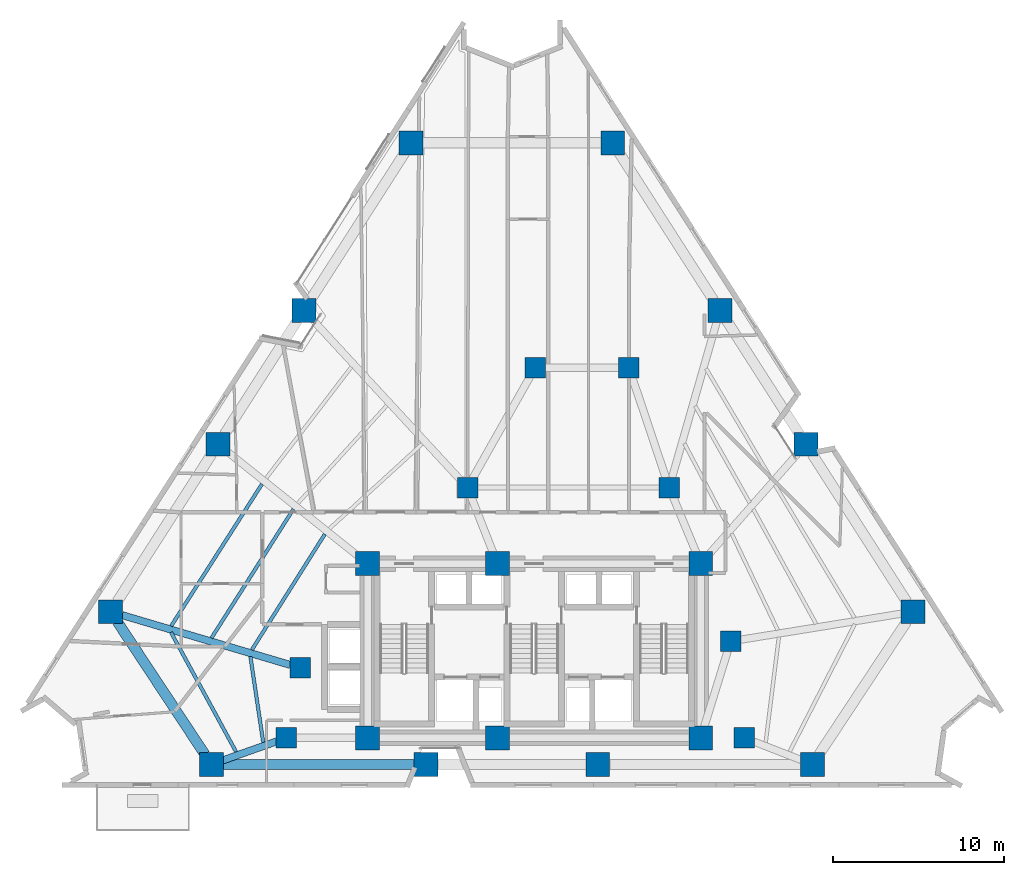
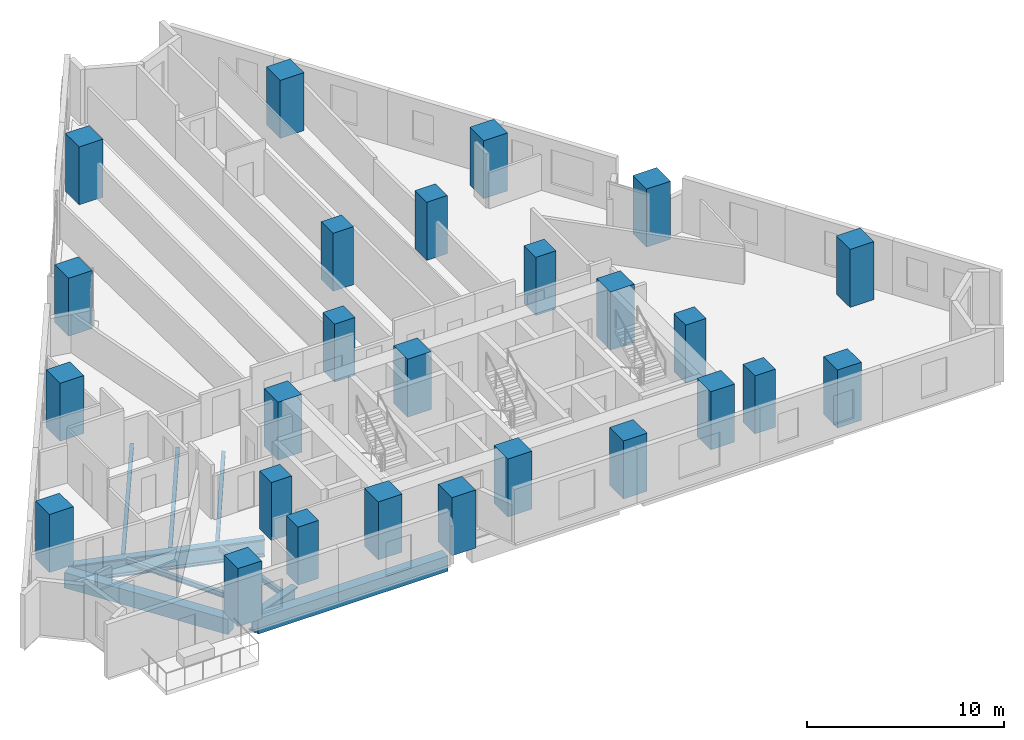
# One storey, part 1 of 15: 26 columns, 9 beams.
"""IFC4 building model written with IfcOpenShell, lengths in metres."""

from ifc_helpers import new_model, si_unit, direction, frame, origin, origin_2d, place, context, subcontext, project, spatial, rectangle, i_section, extrude, material, material_profile, profile_set, type_object, element, save


model = new_model("IFC4")

# Units and contexts
model_context = context("Model", 3, precision=1e-05, world=origin(), true_north=direction((0.0, 1.0)))
body_context = subcontext(model_context, "Body", "Model", "MODEL_VIEW")
ifc_project = project(units=[si_unit("LENGTHUNIT", "METRE"), si_unit("AREAUNIT", "SQUARE_METRE"), si_unit("VOLUMEUNIT", "CUBIC_METRE"), si_unit("PLANEANGLEUNIT", "RADIAN"), si_unit("MASSUNIT", "GRAM", prefix="KILO")], contexts=[model_context])

# Site, building, storey
site_placement = place(None, origin())
site = spatial("IfcSite", under=ifc_project, at=site_placement, CompositionType="ELEMENT")
building_placement = place(site_placement, origin())
building = spatial("IfcBuilding", under=site, at=building_placement, Name="Almagre Mirador Tower", CompositionType="ELEMENT")
storey_placement = place(building_placement, frame((0.0, 0.0, 31.800048828125)))
storey = spatial("IfcBuildingStorey", under=building, at=storey_placement, Name="L06", CompositionType="ELEMENT", Elevation=31.800048828125)

# Columns
ifc_material_1 = material(Name="Concrete C60/75", Category="concrete")
ifc_material_profile_1 = material_profile(ifc_material_1, rectangle(XDim=1.199951171875, YDim=1.199951171875, at=origin_2d()), Name="RC1200X1200")
ifc_profile_set_1 = profile_set([ifc_material_profile_1], Name="Concrete C60/75")
column_type_1 = type_object("IfcColumnType", Name="COL-RC1200", PredefinedType="COLUMN", material=ifc_profile_set_1)
for number, where, z_axis, x_axis, name in (
    (1, (22.800048828125, 4.550048828125, 0.0), (0.0, 0.0, 1.0), (1.0, 0.0, 0.0), "L06 interior transfer column MC1"),
    (2, (49.60009765625, 4.550048828125, 0.0), (0.0, 0.0, 1.0), (1.0, 0.0, 0.0), "L06 interior transfer column MC2"),
    (3, (48.800048828125, 10.199951171875, 0.0), (0.0, 0.0, 1.0), (1.0, 0.0, 0.0), "L06 interior transfer column MC3"),
    (4, (45.199951171875, 19.199951171875, 0.0), (0.0, 0.0, 1.0), (1.0, 0.0, 0.0), "L06 interior transfer column MC5"),
    (5, (42.85009765625, 26.199951171875, 0.0), (0.0, 0.0, 1.0), (1.0, 0.0, 0.0), "L06 interior transfer column MC6"),
    (6, (37.35009765625, 26.199951171875, 0.0), (0.0, 0.0, 1.0), (1.0, 0.0, 0.0), "L06 interior transfer column MC7"),
    (7, (33.39990234375, 19.199951171875, 0.0), (0.0, 0.0, 1.0), (1.0, 0.0, 0.0), "L06 interior transfer column MC8"),
    (8, (23.60009765625, 8.64990234375, 0.0), (0.0, 0.0, 1.0), (1.0, 0.0, 0.0), "L06 interior transfer column MC10"),
):
    element("IfcColumn", number, at=place(storey_placement, frame(where, z_axis=z_axis, x_axis=x_axis)), inside=storey, type_object=column_type_1, Name=name, PredefinedType="COLUMN", context=body_context, shape_type="SweptSolid", body=[
        extrude(rectangle(XDim=1.199951171875, YDim=1.199951171875, at=origin_2d()), origin(), (0.0, 0.0, 1.0), 3.599853515625),
    ])
ifc_material_2 = material(Name="Concrete C60/75", Category="concrete")
ifc_material_profile_2 = material_profile(ifc_material_2, rectangle(XDim=1.39990234375, YDim=1.39990234375, at=origin_2d()), Name="RC1400X1400")
ifc_profile_set_2 = profile_set([ifc_material_profile_2], Name="Concrete C60/75")
column_type_2 = type_object("IfcColumnType", Name="COL-RC1400", PredefinedType="COLUMN", material=ifc_profile_set_2)
for number, where, z_axis, x_axis, name in (
    (9, (27.550048828125, 4.550048828125, 0.0), (0.0, 0.0, 1.0), (1.0, 0.0, 0.0), "L06 core spine column CC1"),
    (10, (35.14990234375, 4.550048828125, 0.0), (0.0, 0.0, 1.0), (1.0, 0.0, 0.0), "L06 core spine column CC2"),
    (11, (47.050048828125, 4.550048828125, 0.0), (0.0, 0.0, 1.0), (1.0, 0.0, 0.0), "L06 core spine column CC3"),
    (12, (27.550048828125, 14.75, 0.0), (0.0, 0.0, 1.0), (1.0, 0.0, 0.0), "L06 core spine column CC4"),
    (13, (35.14990234375, 14.75, 0.0), (0.0, 0.0, 1.0), (1.0, 0.0, 0.0), "L06 core spine column CC5"),
    (14, (47.050048828125, 14.75, 0.0), (0.0, 0.0, 1.0), (1.0, 0.0, 0.0), "L06 core spine column CC6"),
    (15, (18.416015625, 3.0, 0.0), (0.0, 0.0, 1.0), (1.0, 0.0, 0.0), "L06 perimeter column PC01"),
    (16, (30.97607421875, 3.0, 0.0), (0.0, 0.0, 1.0), (1.0, 0.0, 0.0), "L06 perimeter column PC02"),
    (17, (41.02392578125, 3.0, 0.0), (0.0, 0.0, 1.0), (1.0, 0.0, 0.0), "L06 perimeter column PC03"),
    (18, (53.583984375, 3.0, 0.0), (0.0, 0.0, 1.0), (1.0, 0.0, 0.0), "L06 perimeter column PC04"),
    (19, (59.48193359375, 11.93310546875, 0.0), (0.0, 0.0, 1.0), (1.0, 0.0, 0.0), "L06 perimeter column PC05"),
    (20, (53.201904296875, 21.73291015625, 0.0), (0.0, 0.0, 1.0), (1.0, 0.0, 0.0), "L06 perimeter column PC06"),
    (21, (48.177978515625, 29.572998046875, 0.0), (0.0, 0.0, 1.0), (1.0, 0.0, 0.0), "L06 perimeter column PC07"),
    (22, (41.89794921875, 39.373046875, 0.0), (0.0, 0.0, 1.0), (1.0, 0.0, 0.0), "L06 perimeter column PC08"),
    (23, (30.10205078125, 39.373046875, 0.0), (0.0, 0.0, 1.0), (1.0, 0.0, 0.0), "L06 perimeter column PC09"),
    (24, (23.822021484375, 29.572998046875, 0.0), (0.0, 0.0, 1.0), (1.0, 0.0, 0.0), "L06 perimeter column PC10"),
    (25, (18.798095703125, 21.73291015625, 0.0), (0.0, 0.0, 1.0), (1.0, 0.0, 0.0), "L06 perimeter column PC11"),
    (26, (12.51806640625, 11.93310546875, 0.0), (0.0, 0.0, 1.0), (1.0, 0.0, 0.0), "L06 perimeter column PC12"),
):
    element("IfcColumn", number, at=place(storey_placement, frame(where, z_axis=z_axis, x_axis=x_axis)), inside=storey, type_object=column_type_2, Name=name, PredefinedType="COLUMN", context=body_context, shape_type="SweptSolid", body=[
        extrude(rectangle(XDim=1.39990234375, YDim=1.39990234375, at=origin_2d()), origin(), (0.0, 0.0, 1.0), 3.599853515625),
    ])

# Beams
ifc_material_3 = material(Name="Steel ASTM A992 Grade 50", Category="steel")
ifc_material_profile_3 = material_profile(ifc_material_3, i_section(OverallWidth=0.205078125, OverallDepth=0.31005859375, WebThickness=0.009521484375, FlangeThickness=0.016357421875, FilletRadius=0.013916015625, at=origin_2d()), Name="W12X50")
ifc_profile_set_3 = profile_set([ifc_material_profile_3], Name="Steel ASTM A992 Grade 50")
beam_type_1 = type_object("IfcBeamType", Name="BM-JST-W12X50", PredefinedType="JOIST", material=ifc_profile_set_3)
beam_1_placement = place(storey_placement, frame((21.375, 19.406982421875, -0.405029296875), z_axis=(-0.53899541112, -0.842308700413, 0.0), x_axis=(0.842308700413, -0.53899541112, 0.0)))
element("IfcBeam", 27, at=beam_1_placement, inside=storey, type_object=beam_type_1, Name="L06 secondary floor joist PC11-PC12.1", PredefinedType="JOIST", context=body_context, shape_type="SweptSolid", body=[
    extrude(i_section(OverallWidth=0.205078125, OverallDepth=0.31005859375, WebThickness=0.009521484375, FlangeThickness=0.016357421875, FilletRadius=0.013916015625, at=origin_2d()), origin(), (0.0, 0.0, 1.0), 9.86572265625),
])
beam_2_placement = place(storey_placement, frame((23.21337890625, 17.9404296875, -0.405029296875), z_axis=(-0.536567926307, -0.843857132729, 0.0), x_axis=(0.843857132729, -0.536567926307, 0.0)))
element("IfcBeam", 28, at=beam_2_placement, inside=storey, type_object=beam_type_1, Name="L06 secondary floor joist PC11-PC12.2", PredefinedType="JOIST", context=body_context, shape_type="SweptSolid", body=[
    extrude(i_section(OverallWidth=0.205078125, OverallDepth=0.31005859375, WebThickness=0.009521484375, FlangeThickness=0.016357421875, FilletRadius=0.013916015625, at=origin_2d()), origin(), (0.0, 0.0, 1.0), 8.93798828125),
])
beam_3_placement = place(storey_placement, frame((25.0517578125, 16.4736328125, -0.405029296875), z_axis=(-0.533607646591, -0.845732155886, 0.0), x_axis=(0.845732155886, -0.533607646591, 0.0)))
element("IfcBeam", 29, at=beam_3_placement, inside=storey, type_object=beam_type_1, Name="L06 secondary floor joist PC11-PC12.3", PredefinedType="JOIST", context=body_context, shape_type="SweptSolid", body=[
    extrude(i_section(OverallWidth=0.205078125, OverallDepth=0.31005859375, WebThickness=0.009521484375, FlangeThickness=0.016357421875, FilletRadius=0.013916015625, at=origin_2d()), origin(), (0.0, 0.0, 1.0), 8.010498046875),
])
beam_4_placement = place(storey_placement, frame((16.044677734375, 10.732177734375, -0.405029296875), z_axis=(0.478467993504, -0.878104993262, 0.0), x_axis=(0.878104993262, 0.478467993504, 0.0)))
element("IfcBeam", 30, at=beam_4_placement, inside=storey, type_object=beam_type_1, Name="L06 secondary floor joist PC12-PC01.1", PredefinedType="JOIST", context=body_context, shape_type="SweptSolid", body=[
    extrude(i_section(OverallWidth=0.205078125, OverallDepth=0.31005859375, WebThickness=0.009521484375, FlangeThickness=0.016357421875, FilletRadius=0.013916015625, at=origin_2d()), origin(), (0.0, 0.0, 1.0), 7.9716796875),
])
beam_5_placement = place(storey_placement, frame((20.695556640625, 9.31005859375, -0.405029296875), z_axis=(0.147716912035, -0.989029683022, 0.0), x_axis=(0.989029683022, 0.147716912035, 0.0)))
element("IfcBeam", 31, at=beam_5_placement, inside=storey, type_object=beam_type_1, Name="L06 secondary floor joist PC12-PC01.3", PredefinedType="JOIST", context=body_context, shape_type="SweptSolid", body=[
    extrude(i_section(OverallWidth=0.205078125, OverallDepth=0.31005859375, WebThickness=0.009521484375, FlangeThickness=0.016357421875, FilletRadius=0.013916015625, at=origin_2d()), origin(), (0.0, 0.0, 1.0), 5.073974609375),
])
ifc_material_4 = material(Name="Precast concrete C50/60", Category="concrete")
ifc_material_profile_4 = material_profile(ifc_material_4, rectangle(XDim=0.60009765625, YDim=0.949951171875, at=origin_2d()), Name="RC600X950")
ifc_profile_set_4 = profile_set([ifc_material_profile_4], Name="Precast concrete C50/60")
beam_type_2 = type_object("IfcBeamType", Name="BM-SPN-RC600X950", PredefinedType="SPANDREL", material=ifc_profile_set_4)
beam_6_placement = place(storey_placement, frame((19.115966796875, 3.0, -0.72509765625), z_axis=(1.0, 0.0, 0.0), x_axis=(0.0, 1.0, 0.0)))
element("IfcBeam", 32, at=beam_6_placement, inside=storey, type_object=beam_type_2, Name="L06 perimeter spandrel beam PC01-PC02", PredefinedType="SPANDREL", context=body_context, shape_type="SweptSolid", body=[
    extrude(rectangle(XDim=0.60009765625, YDim=0.949951171875, at=origin_2d()), origin(), (0.0, 0.0, 1.0), 11.159912109375),
])
beam_7_placement = place(storey_placement, frame((12.90380859375, 11.348876953125, -0.72509765625), z_axis=(0.550976725149, -0.834520609898, 0.0), x_axis=(0.834520609898, 0.550976725149, 0.0)))
element("IfcBeam", 33, at=beam_7_placement, inside=storey, type_object=beam_type_2, Name="L06 perimeter spandrel beam PC12-PC01", PredefinedType="SPANDREL", context=body_context, shape_type="SweptSolid", body=[
    extrude(rectangle(XDim=0.60009765625, YDim=0.949951171875, at=origin_2d()), origin(), (0.0, 0.0, 1.0), 9.304443359375),
])
ifc_material_5 = material(Name="Steel ASTM A913 Grade 65", Category="steel")
ifc_material_profile_5 = material_profile(ifc_material_5, i_section(OverallWidth=0.424072265625, OverallDepth=1.092041015625, WebThickness=0.04541015625, FlangeThickness=0.08203125, FilletRadius=0.030029296875, at=origin_2d()), Name="W40X593")
ifc_profile_set_5 = profile_set([ifc_material_profile_5], Name="Steel ASTM A913 Grade 65")
beam_type_3 = type_object("IfcBeamType", Name="BM-STL-W40X593", PredefinedType="BEAM", material=ifc_profile_set_5)
beam_8_placement = place(storey_placement, frame((19.075927734375, 3.2333984375, -0.796142578125), z_axis=(0.942807214234, 0.333338501809, 0.0), x_axis=(-0.333338501809, 0.942807214234, 0.0)))
element("IfcBeam", 34, at=beam_8_placement, inside=storey, type_object=beam_type_3, Name="L06 radial floor girder PC01-MC1", PredefinedType="BEAM", context=body_context, shape_type="SweptSolid", body=[
    extrude(i_section(OverallWidth=0.424072265625, OverallDepth=1.092041015625, WebThickness=0.04541015625, FlangeThickness=0.08203125, FilletRadius=0.030029296875, at=origin_2d()), origin(), (0.0, 0.0, 1.0), 3.35009765625),
])
beam_9_placement = place(storey_placement, frame((13.189208984375, 11.734130859375, -0.796142578125), z_axis=(0.958808436431, -0.284053484804, 0.0), x_axis=(0.284053484804, 0.958808436431, 0.0)))
element("IfcBeam", 35, at=beam_9_placement, inside=storey, type_object=beam_type_3, Name="L06 radial floor girder PC12-MC10", PredefinedType="BEAM", context=body_context, shape_type="SweptSolid", body=[
    extrude(i_section(OverallWidth=0.424072265625, OverallDepth=1.092041015625, WebThickness=0.04541015625, FlangeThickness=0.08203125, FilletRadius=0.030029296875, at=origin_2d()), origin(), (0.0, 0.0, 1.0), 10.258056640625),
])

save(model, "model.ifc")
